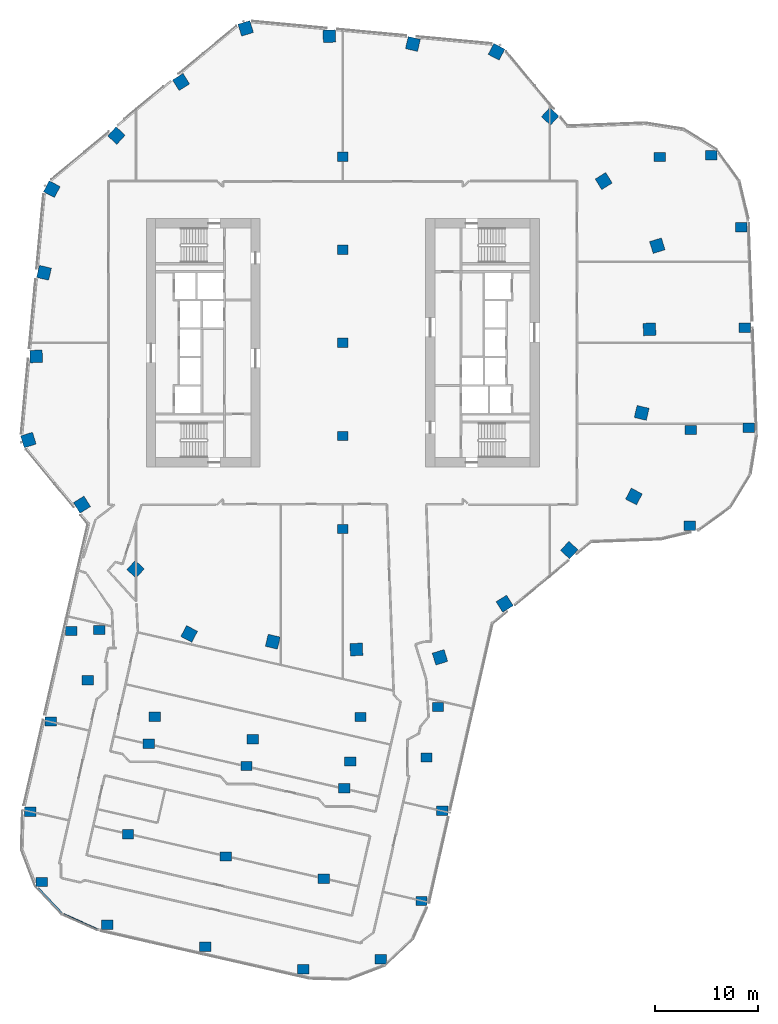
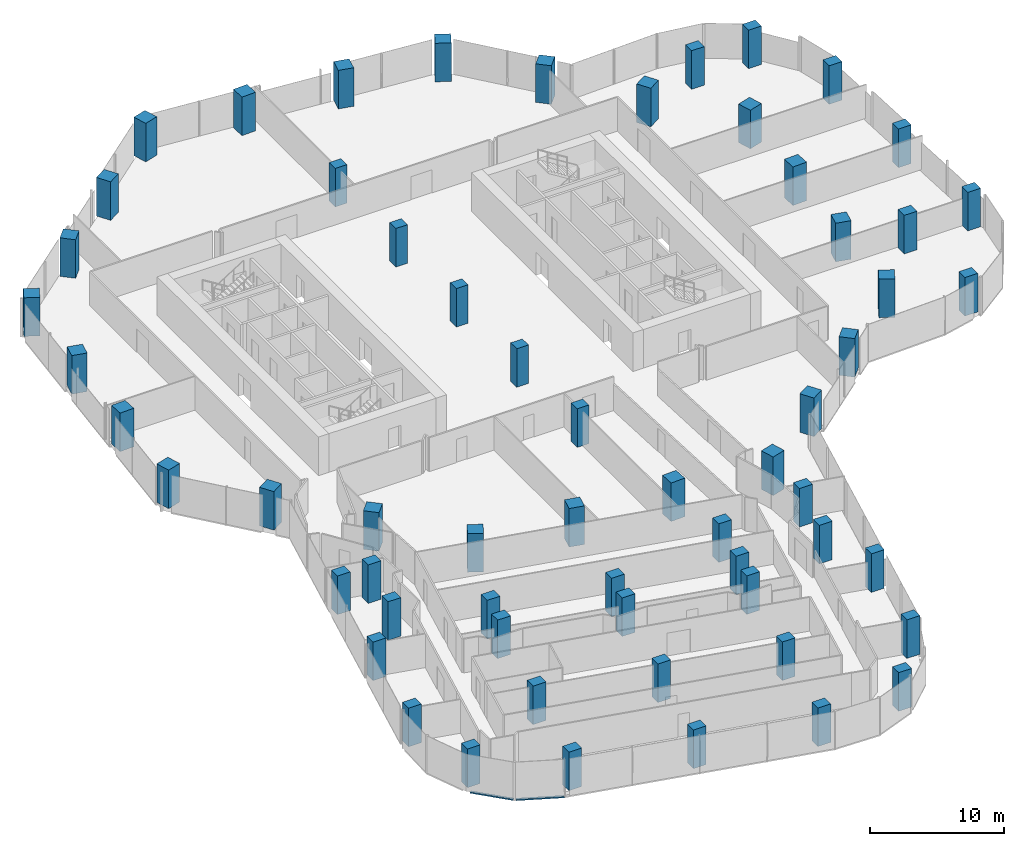
# One storey, part 1 of 23: 60 columns, 2 members, 2 elements without a shape of their own.
"""IFC4 building model written with IfcOpenShell, lengths in metres."""

from ifc_helpers import new_model, si_unit, direction, frame, origin, origin_2d, place, context, subcontext, project, spatial, rectangle, extrude, material, material_profile, profile_set, type_object, element, aggregate, save


model = new_model("IFC4")

# Units and contexts
model_context = context("Model", 3, precision=1e-05, world=origin(), true_north=direction((0.0, 1.0)))
body_context = subcontext(model_context, "Body", "Model", "MODEL_VIEW")
ifc_project = project(units=[si_unit("LENGTHUNIT", "METRE"), si_unit("AREAUNIT", "SQUARE_METRE"), si_unit("VOLUMEUNIT", "CUBIC_METRE"), si_unit("PLANEANGLEUNIT", "RADIAN"), si_unit("MASSUNIT", "GRAM", prefix="KILO")], contexts=[model_context])

# Site, building, storey
site_placement = place(None, origin())
site = spatial("IfcSite", under=ifc_project, at=site_placement, CompositionType="ELEMENT")
building_placement = place(site_placement, origin())
building = spatial("IfcBuilding", under=site, at=building_placement, Name="Orlundy Tower", CompositionType="ELEMENT")
storey_placement = place(building_placement, frame((0.0, 0.0, 181.10009765625)))
storey = spatial("IfcBuildingStorey", under=building, at=storey_placement, Name="L47", CompositionType="ELEMENT", Elevation=181.10009765625)

# Columns
ifc_material_1 = material(Name="Concrete C70/85", Category="concrete")
ifc_material_profile_1 = material_profile(ifc_material_1, rectangle(XDim=1.0, YDim=0.89990234375, at=origin_2d()), Name="RC1000X900")
ifc_profile_set_1 = profile_set([ifc_material_profile_1], Name="Concrete C70/85")
column_type_1 = type_object("IfcColumnType", Name="RC COLUMN RC1000X900 C70/85", PredefinedType="COLUMN", material=ifc_profile_set_1)
for number, where, z_axis, x_axis, name in (
    (1, (0.0, -18.0, 0.0), (0.0, 0.0, 1.0), (1.0, 0.0, 0.0), "Column C-M1 L47"),
    (2, (0.0, -9.0, 0.0), (0.0, 0.0, 1.0), (1.0, 0.0, 0.0), "Column C-M2 L47"),
    (3, (0.0, 0.0, 0.0), (0.0, 0.0, 1.0), (1.0, 0.0, 0.0), "Column C-M3 L47"),
    (4, (0.0, 9.0, 0.0), (0.0, 0.0, 1.0), (1.0, 0.0, 0.0), "Column C-M4 L47"),
    (5, (0.0, 18.0, 0.0), (0.0, 0.0, 1.0), (1.0, 0.0, 0.0), "Column C-M5 L47"),
):
    element("IfcColumn", number, at=place(storey_placement, frame(where, z_axis=z_axis, x_axis=x_axis)), inside=storey, type_object=column_type_1, Name=name, PredefinedType="COLUMN", context=body_context, shape_type="SweptSolid", body=[
        extrude(rectangle(XDim=1.0, YDim=0.89990234375, at=origin_2d()), origin(), (0.0, 0.0, 1.0), 3.5),
    ])
ifc_material_2 = material(Name="Concrete C70/85", Category="concrete")
ifc_material_profile_2 = material_profile(ifc_material_2, rectangle(XDim=1.10009765625, YDim=0.89990234375, at=origin_2d()), Name="RC1100X900")
ifc_profile_set_2 = profile_set([ifc_material_profile_2], Name="Concrete C70/85")
column_type_2 = type_object("IfcColumnType", Name="RC COLUMN RC1100X900 C70/85", PredefinedType="COLUMN", material=ifc_profile_set_2)
for number, where, z_axis, x_axis, name in (
    (6, (33.534912109375, -17.678955078125, 0.0), (0.0, 0.0, 1.0), (1.0, 0.0, 0.0), "Column C-A1-1 L47"),
    (7, (39.239013671875, -8.221923828125, 0.0), (0.0, 0.0, 1.0), (1.0, 0.0, 0.0), "Column C-A2-5 L47"),
    (8, (33.64306640625, -8.43408203125, 0.0), (0.0, 0.0, 1.0), (1.0, 0.0, 0.0), "Column C-A2-6 L47"),
    (9, (38.8720703125, 1.470947265625, 0.0), (0.0, 0.0, 1.0), (1.0, 0.0, 0.0), "Column C-A3-5 L47"),
    (10, (38.5048828125, 11.1640625, 0.0), (0.0, 0.0, 1.0), (1.0, 0.0, 0.0), "Column C-A4-5 L47"),
    (11, (35.632080078125, 18.153076171875, 0.0), (0.0, 0.0, 1.0), (1.0, 0.0, 0.0), "Column C-A5-5 L47"),
    (12, (30.635986328125, 17.964111328125, 0.0), (0.0, 0.0, 1.0), (1.0, 0.0, 0.0), "Column C-A5-6 L47"),
    (13, (-26.2451171875, -27.866943359375, 0.0), (0.0, 0.0, 1.0), (1.0, 0.0, 0.0), "Column C-B1-1 L47"),
    (14, (-28.237060546875, -36.60888671875, 0.0), (0.0, 0.0, 1.0), (1.0, 0.0, 0.0), "Column C-B1-2 L47"),
    (15, (-30.22802734375, -45.35205078125, 0.0), (0.0, 0.0, 1.0), (1.0, 0.0, 0.0), "Column C-B1-3 L47"),
    (16, (-29.09912109375, -52.132080078125, 0.0), (0.0, 0.0, 1.0), (1.0, 0.0, 0.0), "Column C-B1-5 L47"),
    (17, (-24.656982421875, -32.632080078125, 0.0), (0.0, 0.0, 1.0), (1.0, 0.0, 0.0), "Column C-B1-6 L47"),
    (18, (-23.547119140625, -27.757080078125, 0.0), (0.0, 0.0, 1.0), (1.0, 0.0, 0.0), "Column C-B1-7 L47"),
    (19, (-18.779052734375, -38.763916015625, 0.0), (0.0, 0.0, 1.0), (1.0, 0.0, 0.0), "Column C-B2-2 L47"),
    (20, (-20.77099609375, -47.507080078125, 0.0), (0.0, 0.0, 1.0), (1.0, 0.0, 0.0), "Column C-B2-3 L47"),
    (21, (-22.761962890625, -56.2490234375, 0.0), (0.0, 0.0, 1.0), (1.0, 0.0, 0.0), "Column C-B2-5 L47"),
    (22, (-18.18701171875, -36.1640625, 0.0), (0.0, 0.0, 1.0), (1.0, 0.0, 0.0), "Column C-B2-6 L47"),
    (23, (-9.321044921875, -40.91796875, 0.0), (0.0, 0.0, 1.0), (1.0, 0.0, 0.0), "Column C-B3-2 L47"),
    (24, (-11.31298828125, -49.660888671875, 0.0), (0.0, 0.0, 1.0), (1.0, 0.0, 0.0), "Column C-B3-3 L47"),
    (25, (-13.304931640625, -58.404052734375, 0.0), (0.0, 0.0, 1.0), (1.0, 0.0, 0.0), "Column C-B3-5 L47"),
    (26, (-8.72900390625, -38.318115234375, 0.0), (0.0, 0.0, 1.0), (1.0, 0.0, 0.0), "Column C-B3-6 L47"),
    (27, (0.135986328125, -43.072998046875, 0.0), (0.0, 0.0, 1.0), (1.0, 0.0, 0.0), "Column C-B4-2 L47"),
    (28, (-1.85498046875, -51.81591796875, 0.0), (0.0, 0.0, 1.0), (1.0, 0.0, 0.0), "Column C-B4-3 L47"),
    (29, (-3.846923828125, -60.55810546875, 0.0), (0.0, 0.0, 1.0), (1.0, 0.0, 0.0), "Column C-B4-5 L47"),
    (30, (0.72900390625, -40.472900390625, 0.0), (0.0, 0.0, 1.0), (1.0, 0.0, 0.0), "Column C-B4-6 L47"),
    (31, (1.7060546875, -36.18310546875, 0.0), (0.0, 0.0, 1.0), (1.0, 0.0, 0.0), "Column C-B4-7 L47"),
    (32, (9.593994140625, -45.22705078125, 0.0), (0.0, 0.0, 1.0), (1.0, 0.0, 0.0), "Column C-B5-2 L47"),
    (33, (7.60205078125, -53.969970703125, 0.0), (0.0, 0.0, 1.0), (1.0, 0.0, 0.0), "Column C-B5-3 L47"),
    (34, (3.64794921875, -59.592041015625, 0.0), (0.0, 0.0, 1.0), (1.0, 0.0, 0.0), "Column C-B5-5 L47"),
    (35, (8.090087890625, -40.092041015625, 0.0), (0.0, 0.0, 1.0), (1.0, 0.0, 0.0), "Column C-B5-6 L47"),
    (36, (9.200927734375, -35.217041015625, 0.0), (0.0, 0.0, 1.0), (1.0, 0.0, 0.0), "Column C-B5-7 L47"),
):
    element("IfcColumn", number, at=place(storey_placement, frame(where, z_axis=z_axis, x_axis=x_axis)), inside=storey, type_object=column_type_2, Name=name, PredefinedType="COLUMN", context=body_context, shape_type="SweptSolid", body=[
        extrude(rectangle(XDim=1.10009765625, YDim=0.89990234375, at=origin_2d()), origin(), (0.0, 0.0, 1.0), 3.5),
    ])
ifc_material_3 = material(Name="Concrete C70/85", Category="concrete")
ifc_material_profile_3 = material_profile(ifc_material_3, rectangle(XDim=1.199951171875, YDim=1.199951171875, at=origin_2d()), Name="RC1200X1200")
ifc_profile_set_3 = profile_set([ifc_material_profile_3], Name="Concrete C70/85")
column_type_3 = type_object("IfcColumnType", Name="RC COLUMN RC1200X1200 C70/85", PredefinedType="COLUMN", material=ifc_profile_set_3)
for number, where, z_axis, x_axis, name in (
    (37, (14.85791015625, 28.14111328125, 0.0), (0.0, 0.0, 1.0), (0.466896045022, 0.884312209088, 0.0), "Column C-H01 L47"),
    (38, (20.0400390625, 21.89111328125, 0.0), (0.0, 0.0, 1.0), (0.675229825281, 0.737607404417, 0.0), "Column C-H02 L47"),
    (39, (25.221923828125, 15.64208984375, 0.0), (0.0, 0.0, 1.0), (0.849837505645, 0.527044793162, 0.0), "Column C-H03 L47"),
    (40, (30.405029296875, 9.39208984375, 0.0), (0.0, 0.0, 1.0), (0.955453670607, 0.295141124421, 0.0), "Column C-H04 L47"),
    (41, (29.64990234375, 1.30908203125, 0.0), (0.0, 0.0, 1.0), (0.999026785832, 0.044107609201, 0.0), "Column C-H05 L47"),
    (42, (28.89501953125, -6.77392578125, 0.0), (0.0, 0.0, 1.0), (0.973602810382, -0.228248915914, 0.0), "Column C-H06 L47"),
    (43, (28.14111328125, -14.85791015625, 0.0), (0.0, 0.0, 1.0), (0.884312209088, -0.466896045022, 0.0), "Column C-H07 L47"),
    (44, (21.89111328125, -20.0400390625, 0.0), (0.0, 0.0, 1.0), (0.737607404417, -0.675229825281, 0.0), "Column C-H08 L47"),
    (45, (15.64208984375, -25.221923828125, 0.0), (0.0, 0.0, 1.0), (0.527044793162, -0.849837505645, 0.0), "Column C-H09 L47"),
    (46, (9.39208984375, -30.405029296875, 0.0), (0.0, 0.0, 1.0), (0.295141124421, -0.955453670607, 0.0), "Column C-H10 L47"),
    (47, (1.30908203125, -29.64990234375, 0.0), (0.0, 0.0, 1.0), (0.044107609201, -0.999026785832, 0.0), "Column C-H11 L47"),
    (48, (-6.77392578125, -28.89501953125, 0.0), (0.0, 0.0, 1.0), (-0.228248915914, -0.973602810382, 0.0), "Column C-H12 L47"),
    (49, (-14.85791015625, -28.14111328125, 0.0), (0.0, 0.0, 1.0), (-0.466896045022, -0.884312209088, 0.0), "Column C-H13 L47"),
    (50, (-20.0400390625, -21.89111328125, 0.0), (0.0, 0.0, 1.0), (-0.675229825281, -0.737607404417, 0.0), "Column C-H14 L47"),
    (51, (-25.221923828125, -15.64208984375, 0.0), (0.0, 0.0, 1.0), (-0.849837505645, -0.527044793162, 0.0), "Column C-H15 L47"),
    (52, (-30.405029296875, -9.39208984375, 0.0), (0.0, 0.0, 1.0), (-0.955453670607, -0.295141124421, 0.0), "Column C-H16 L47"),
    (53, (-29.64990234375, -1.30908203125, 0.0), (0.0, 0.0, 1.0), (-0.999026785832, -0.044107609201, 0.0), "Column C-H17 L47"),
    (54, (-28.89501953125, 6.77392578125, 0.0), (0.0, 0.0, 1.0), (-0.973602810382, 0.228248915914, 0.0), "Column C-H18 L47"),
    (55, (-28.14111328125, 14.85791015625, 0.0), (0.0, 0.0, 1.0), (-0.884312209088, 0.466896045022, 0.0), "Column C-H19 L47"),
    (56, (-21.89111328125, 20.0400390625, 0.0), (0.0, 0.0, 1.0), (-0.737607404417, 0.675229825281, 0.0), "Column C-H20 L47"),
    (57, (-15.64208984375, 25.221923828125, 0.0), (0.0, 0.0, 1.0), (-0.527044793162, 0.849837505645, 0.0), "Column C-H21 L47"),
    (58, (-9.39208984375, 30.405029296875, 0.0), (0.0, 0.0, 1.0), (-0.295141124421, 0.955453670607, 0.0), "Column C-H22 L47"),
    (59, (-1.30908203125, 29.64990234375, 0.0), (0.0, 0.0, 1.0), (-0.044107609201, 0.999026785832, 0.0), "Column C-H23 L47"),
    (60, (6.77392578125, 28.89501953125, 0.0), (0.0, 0.0, 1.0), (0.228248915914, 0.973602810382, 0.0), "Column C-H24 L47"),
):
    element("IfcColumn", number, at=place(storey_placement, frame(where, z_axis=z_axis, x_axis=x_axis)), inside=storey, type_object=column_type_3, Name=name, PredefinedType="COLUMN", context=body_context, shape_type="SweptSolid", body=[
        extrude(rectangle(XDim=1.199951171875, YDim=1.199951171875, at=origin_2d()), origin(), (0.0, 0.0, 1.0), 3.5),
    ])

# Curtain wall, member
ifc_material_4 = material(Name="Aluminium bronze anodised", Category="aluminium")
curtain_wall_type = type_object("IfcCurtainWallType", Name="CW1 wall", PredefinedType="NOTDEFINED", material=ifc_material_4)
curtain_wall_1_placement = place(storey_placement, origin())
curtain_wall_1 = element("IfcCurtainWall", 61, at=curtain_wall_1_placement, inside=storey, type_object=curtain_wall_type, Name="CW1 run 024", PredefinedType="NOTDEFINED")
ifc_material_5 = material(Name="Aluminium bronze anodised", Category="aluminium")
ifc_material_profile_4 = material_profile(ifc_material_5, rectangle(XDim=0.179931640625, YDim=0.1201171875, at=origin_2d()), Name="CW1 transom 180x120")
ifc_profile_set_4 = profile_set([ifc_material_profile_4], Name="Aluminium bronze anodised")
member_type = type_object("IfcMemberType", Name="CW1 transom 180x120", PredefinedType="USERDEFINED", material=ifc_profile_set_4)
member_1_placement = place(storey_placement, frame((-23.7275390625, -56.732421875, -0.360107421875), z_axis=(-0.912914391831, 0.408151091127, 0.0), x_axis=(-0.408151091127, -0.912914391831, 0.0)))
member_1 = element("IfcMember", 62, at=member_1_placement, type_object=member_type, Name="CW1 transom", ObjectType="TRANSOM", PredefinedType="USERDEFINED", context=body_context, shape_type="SweptSolid", body=[
    extrude(rectangle(XDim=0.179931640625, YDim=0.1201171875, at=origin_2d()), origin(), (0.0, 0.0, 1.0), 3.611083984375),
])
aggregate(curtain_wall_1, [member_1])

curtain_wall_2_placement = place(storey_placement, origin())
curtain_wall_2 = element("IfcCurtainWall", 63, at=curtain_wall_2_placement, inside=storey, type_object=curtain_wall_type, Name="CW1 run 025", PredefinedType="NOTDEFINED")
member_2_placement = place(storey_placement, frame((-27.1748046875, -55.153564453125, -0.360107421875), z_axis=(-0.687128806217, 0.726535617617, 0.0), x_axis=(-0.726535617617, -0.687128806217, 0.0)))
member_2 = element("IfcMember", 64, at=member_2_placement, type_object=member_type, Name="CW1 transom", ObjectType="TRANSOM", PredefinedType="USERDEFINED", context=body_context, shape_type="SweptSolid", body=[
    extrude(rectangle(XDim=0.179931640625, YDim=0.1201171875, at=origin_2d()), origin(), (0.0, 0.0, 1.0), 3.3330078125),
])
aggregate(curtain_wall_2, [member_2])

save(model, "model.ifc")
